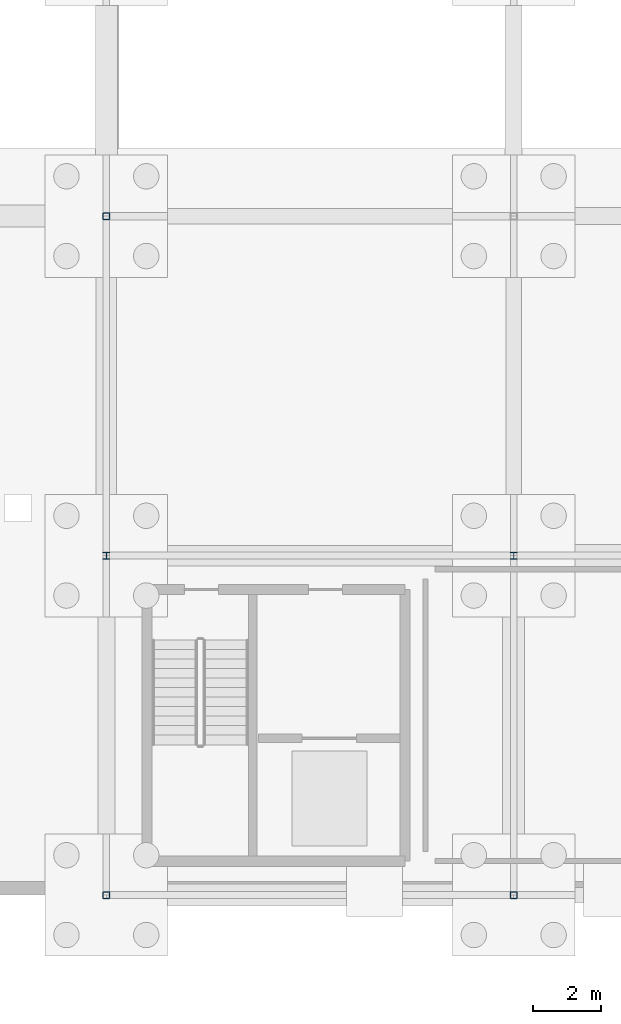
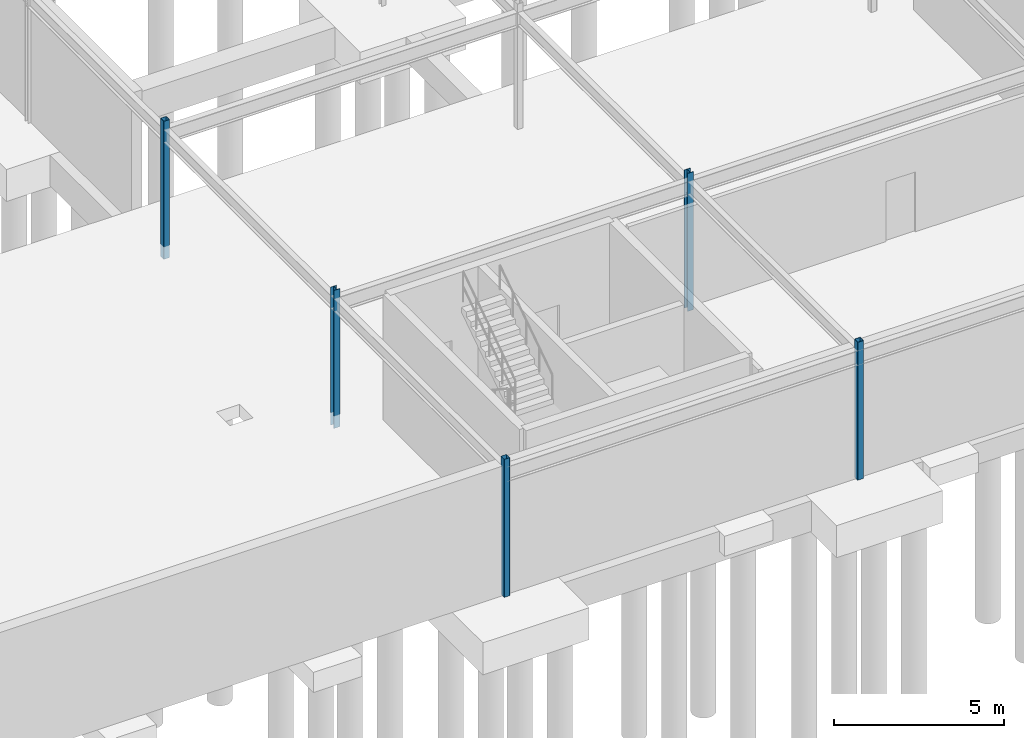
# One storey, part 44 of 75: 5 columns.
"""IFC4 building model written with IfcOpenShell, lengths in metres."""

from ifc_helpers import new_model, si_unit, derived_unit, direction, frame, origin, origin_2d_with_axis, place, context, subcontext, project, spatial, hollow_rectangle, i_section, extrude, material, material_profile, profile_set, type_object, element, save


model = new_model("IFC4")

# Units and contexts
model_context = context("Model", 3, precision=1e-05, world=origin(), true_north=direction((0.0, 1.0)))
body_context = subcontext(model_context, "Body", "Model", "MODEL_VIEW")
ifc_project = project(units=[si_unit("LENGTHUNIT", "METRE"), si_unit("AREAUNIT", "SQUARE_METRE"), si_unit("VOLUMEUNIT", "CUBIC_METRE"), si_unit("PLANEANGLEUNIT", "RADIAN"), si_unit("MASSUNIT", "GRAM", prefix="KILO"), derived_unit("THERMALTRANSMITTANCEUNIT", [(si_unit("POWERUNIT", "WATT"), 1), (si_unit("LENGTHUNIT", "METRE"), -2), (si_unit("THERMODYNAMICTEMPERATUREUNIT", "KELVIN"), -1)])], contexts=[model_context])

# Site, building, storey
site_placement = place(None, origin())
site = spatial("IfcSite", under=ifc_project, at=site_placement, CompositionType="ELEMENT")
building_placement = place(site_placement, origin())
building = spatial("IfcBuilding", under=site, at=building_placement, Name="Cinnabar Yard Market Hall", CompositionType="ELEMENT")
storey_placement = place(building_placement, frame((0.0, 0.0, -4.5)))
storey = spatial("IfcBuildingStorey", under=building, at=storey_placement, Name="B1", CompositionType="ELEMENT", Elevation=-4.5)

# Columns
ifc_material_1 = material(Name="Steel Grade 300 (300 MPa)", Category="steel")
ifc_material_profile_1 = material_profile(ifc_material_1, i_section(OverallWidth=0.205078125, OverallDepth=0.209716796875, WebThickness=0.00927734375, FlangeThickness=0.01416015625, FilletRadius=0.011474609375, at=origin_2d_with_axis()), Name="200UC59.5")
ifc_profile_set_1 = profile_set([ifc_material_profile_1], Name="Steel Grade 300 (300 MPa)")
column_type_1 = type_object("IfcColumnType", Name="COL-C12", PredefinedType="COLUMN", material=ifc_profile_set_1)
for number, where, z_axis, x_axis, name in (
    (1, (178.0, 24.0, -0.449951171875), (0.0, 0.0, 1.0), (1.0, 0.0, 0.0), "Dock Column V4-01-02 B1"),
    (2, (190.0, 24.0, -0.449951171875), (0.0, 0.0, 1.0), (1.0, 0.0, 0.0), "Dock Column V4-02-02 B1"),
):
    element("IfcColumn", number, at=place(storey_placement, frame(where, z_axis=z_axis, x_axis=x_axis)), inside=storey, type_object=column_type_1, Name=name, PredefinedType="COLUMN", context=body_context, shape_type="SweptSolid", body=[
        extrude(i_section(OverallWidth=0.205078125, OverallDepth=0.209716796875, WebThickness=0.00927734375, FlangeThickness=0.01416015625, FilletRadius=0.011474609375, at=origin_2d_with_axis()), origin(), (0.0, 0.0, 1.0), 4.949951171875),
    ])
ifc_material_2 = material(Name="Cold-formed steel C350L0", Category="steel")
ifc_material_profile_2 = material_profile(ifc_material_2, hollow_rectangle(XDim=0.199951171875, YDim=0.199951171875, WallThickness=0.008056640625, InnerFilletRadius=0.008056640625, OuterFilletRadius=0.01611328125, at=origin_2d_with_axis()), Name="200x200x8.0SHS")
ifc_profile_set_2 = profile_set([ifc_material_profile_2], Name="Cold-formed steel C350L0")
column_type_2 = type_object("IfcColumnType", Name="COL-C15", PredefinedType="COLUMN", material=ifc_profile_set_2)
for number, where, z_axis, x_axis, name in (
    (3, (178.0, 14.0, -0.449951171875), (0.0, 0.0, 1.0), (1.0, 0.0, 0.0), "Dock Column V4-01-01 B1"),
    (4, (178.0, 34.0, -0.449951171875), (0.0, 0.0, 1.0), (1.0, 0.0, 0.0), "Dock Column V4-01-03 B1"),
    (5, (190.0, 14.0, -0.449951171875), (0.0, 0.0, 1.0), (1.0, 0.0, 0.0), "Dock Column V4-02-01 B1"),
):
    element("IfcColumn", number, at=place(storey_placement, frame(where, z_axis=z_axis, x_axis=x_axis)), inside=storey, type_object=column_type_2, Name=name, PredefinedType="COLUMN", context=body_context, shape_type="SweptSolid", body=[
        extrude(hollow_rectangle(XDim=0.199951171875, YDim=0.199951171875, WallThickness=0.008056640625, InnerFilletRadius=0.008056640625, OuterFilletRadius=0.01611328125, at=origin_2d_with_axis()), origin(), (0.0, 0.0, 1.0), 4.949951171875),
    ])

save(model, "model.ifc")
